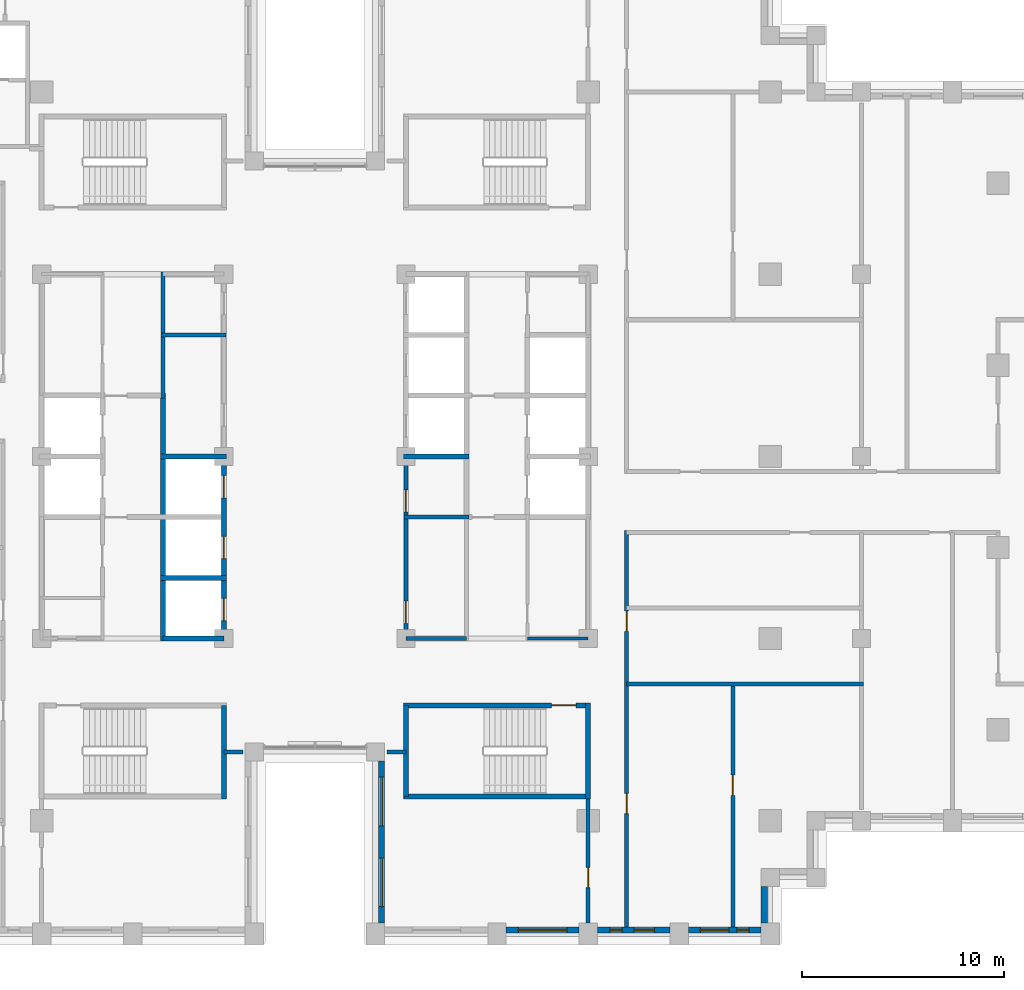
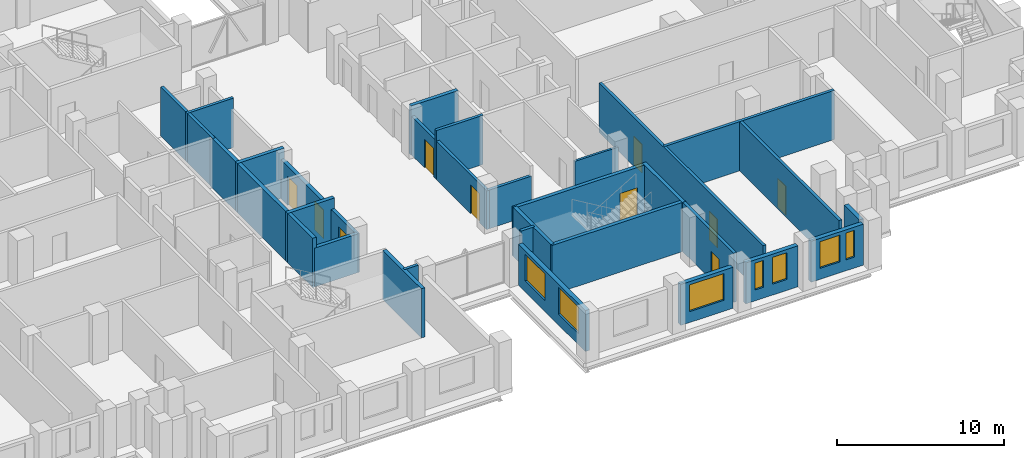
# One storey, part 8 of 16: 28 walls, 10 doors, 7 windows, 17 openings.
"""IFC4 building model written with IfcOpenShell, lengths in metres."""

import ifcopenshell
import ifcopenshell.guid

model = None  # the IFC model being written
_history = None  # IfcOwnerHistory: only IFC2X3 demands one
_inside = {}  # id of a spatial element -> (the spatial element, [elements in it])
_under = {}  # id of a project, library or spatial element -> (it, [spatial elements below it])
_declared = {}  # id of a project -> (the project, [libraries it declares])
_typed = {}  # id of a type object -> (the type object, [elements of that type])
_made_of = {}  # id of a material, layer set ... -> (it, [elements and type objects made of it])


def new_model(schema):
    """Start an empty IFC model of exactly this schema.

    Asked for "IFC4X3", IfcOpenShell would pick the latest addendum, in which some entities
    have other attributes; the version numbers below select the first issue.
    IFC2X3 requires an IfcOwnerHistory on every rooted entity: one is made here for all.
    """
    global model, _history
    if schema == "IFC4X3":
        model = ifcopenshell.file(schema_version=(4, 3, 0, 0))
    else:
        model = ifcopenshell.file(schema=schema)
    _inside.clear()
    _under.clear()
    _declared.clear()
    _typed.clear()
    _made_of.clear()
    _history = None
    if model.schema == "IFC2X3":
        org = make("IfcOrganization", Name="unknown")
        user = make(
            "IfcPersonAndOrganization",
            ThePerson=make("IfcPerson", FamilyName="unknown"),
            TheOrganization=org,
        )
        app = make(
            "IfcApplication",
            ApplicationDeveloper=org,
            Version="unknown",
            ApplicationFullName="unknown",
            ApplicationIdentifier="unknown",
        )
        _history = make(
            "IfcOwnerHistory",
            OwningUser=user,
            OwningApplication=app,
            ChangeAction="ADDED",
            CreationDate=0,
        )
    return model


def make(cls, **values):
    """One entity of the class cls with the attributes given. An attribute that is None is left unset."""
    return model.create_entity(
        cls, **{name: value for name, value in values.items() if value is not None}
    )


def rooted(cls, **values):
    """An entity with a GlobalId (a new one), such as an element, a storey or a relation."""
    return make(cls, GlobalId=ifcopenshell.guid.new(), OwnerHistory=_history, **values)


def si_unit(unit_type, name, prefix=None):
    """IfcSIUnit, for example si_unit("LENGTHUNIT", "METRE", prefix="MILLI")."""
    return make("IfcSIUnit", UnitType=unit_type, Prefix=prefix, Name=name)


def assignment(units):
    """IfcUnitAssignment: the units of a project."""
    return None if units is None else make("IfcUnitAssignment", Units=units)


def point(xyz):
    """IfcCartesianPoint."""
    return None if xyz is None else make("IfcCartesianPoint", Coordinates=xyz)


def direction(xyz):
    """IfcDirection."""
    return None if xyz is None else make("IfcDirection", DirectionRatios=xyz)


def frame(location, z_axis=None, x_axis=None):
    """IfcAxis2Placement3D, a coordinate frame: its origin and axes. An axis left out is left unset."""
    return make(
        "IfcAxis2Placement3D",
        Location=point(location),
        Axis=direction(z_axis),
        RefDirection=direction(x_axis),
    )


def frame_2d(location, x_axis=None):
    """IfcAxis2Placement2D, a coordinate frame in the plane: its origin and x axis."""
    return make(
        "IfcAxis2Placement2D", Location=point(location), RefDirection=direction(x_axis)
    )


def origin():
    """The frame at (0, 0, 0) with its axes left unset."""
    return frame((0.0, 0.0, 0.0))


def place(relative_to, where):
    """IfcLocalPlacement: puts the frame where relative to a parent placement (None: the world)."""
    return make(
        "IfcLocalPlacement", PlacementRelTo=relative_to, RelativePlacement=where
    )


def context(
    kind, dimensions, precision=None, world=None, true_north=None, identifier=None
):
    """IfcGeometricRepresentationContext, for example the 3D "Model" context."""
    return make(
        "IfcGeometricRepresentationContext",
        ContextIdentifier=identifier,
        ContextType=kind,
        CoordinateSpaceDimension=dimensions,
        Precision=precision,
        WorldCoordinateSystem=world,
        TrueNorth=true_north,
    )


def subcontext(parent, identifier, kind, view, scale=None):
    """IfcGeometricRepresentationSubContext, for example "Body" below "Model"."""
    return make(
        "IfcGeometricRepresentationSubContext",
        ContextIdentifier=identifier,
        ContextType=kind,
        ParentContext=parent,
        TargetScale=scale,
        TargetView=view,
    )


def project(units=None, contexts=None):
    """IfcProject with its units and contexts."""
    return rooted(
        "IfcProject",
        Name="project",
        RepresentationContexts=contexts,
        UnitsInContext=assignment(units),
    )


def spatial(cls, under=None, at=None, **own):
    """A site, building, storey or space (cls), placed at a placement, below another one or the project."""
    s = rooted(cls, ObjectPlacement=at, **own)
    if under is not None:
        _under.setdefault(under.id(), (under, []))[1].append(s)
    return s


def profile(cls, at=None, kind="AREA", **sizes):
    """A parametric profile (cls). Its sizes go by their IFC names, for example OverallWidth=200.0."""
    return make(cls, ProfileType=kind, Position=at, **sizes)


def rectangle(**sizes):
    """IfcRectangleProfileDef."""
    return profile("IfcRectangleProfileDef", **sizes)


def extrude(swept, where, along, depth):
    """IfcExtrudedAreaSolid: the profile swept, set in the frame where, extruded along a direction by depth."""
    return make(
        "IfcExtrudedAreaSolid",
        SweptArea=swept,
        Position=where,
        ExtrudedDirection=direction(along),
        Depth=depth,
    )


def shape(context_of_items, identifier, shape_type, items):
    """IfcShapeRepresentation: the items that make up one representation, for example the "Body"."""
    return make(
        "IfcShapeRepresentation",
        ContextOfItems=context_of_items,
        RepresentationIdentifier=identifier,
        RepresentationType=shape_type,
        Items=items,
    )


def material(Name=None, Category=None):
    """IfcMaterial."""
    return make("IfcMaterial", Name=Name, Category=Category)


def layer(
    of_material, thickness, ventilated=None, Name=None, Category=None, Priority=None
):
    """IfcMaterialLayer: one layer of a wall or slab, of a material (None: an air gap)."""
    return make(
        "IfcMaterialLayer",
        Material=of_material,
        LayerThickness=thickness,
        IsVentilated=ventilated,
        Name=Name,
        Category=Category,
        Priority=Priority,
    )


def layer_set(layers, Name=None):
    """IfcMaterialLayerSet."""
    return make("IfcMaterialLayerSet", MaterialLayers=layers, LayerSetName=Name)


def made_of(thing, what):
    """Note that an element or type object is made of a material, layer set ...; save() writes the relation."""
    if what is not None:
        _made_of.setdefault(what.id(), (what, []))[1].append(thing)
    return thing


def type_object(cls, material=None, **own):
    """A type object (cls), such as IfcWallType, which elements share."""
    return made_of(rooted(cls, **own), material)


def element(
    cls,
    number,
    at=None,
    inside=None,
    cuts=None,
    type_object=None,
    material=None,
    context=None,
    identifier="Body",
    shape_type=None,
    held_by="IfcProductDefinitionShape",
    body=None,
    shapes=None,
    **own,
):
    """One element of the class cls, such as IfcWall. Its Tag is "e" and its number.

    at: its placement. inside: the storey or other place that contains it. cuts: it is an
    opening in that element (IfcRelVoidsElement). A single representation is given by context,
    identifier, shape_type and body (its items); several are given by shapes. held_by: the class
    of the entity that holds the representations. save() writes the other relations.
    """
    e = rooted(cls, Tag="e%d" % number, ObjectPlacement=at, **own)
    if body is not None:
        shapes = [shape(context, identifier, shape_type, body)]
    if shapes is not None:
        e.Representation = make(held_by, Representations=shapes)
    if inside is not None:
        _inside.setdefault(inside.id(), (inside, []))[1].append(e)
    if cuts is not None:
        rooted(
            "IfcRelVoidsElement", RelatingBuildingElement=cuts, RelatedOpeningElement=e
        )
    if type_object is not None:
        _typed.setdefault(type_object.id(), (type_object, []))[1].append(e)
    return made_of(e, material)


def fill(opening, filler):
    """IfcRelFillsElement: the door or window that sits in an opening."""
    return rooted(
        "IfcRelFillsElement",
        RelatingOpeningElement=opening,
        RelatedBuildingElement=filler,
    )


def aggregate(whole, parts):
    """IfcRelAggregates: a whole, such as a stair, and the parts it consists of."""
    return rooted("IfcRelAggregates", RelatingObject=whole, RelatedObjects=parts)


def save(model, path):
    """Write the relations noted so far, then the file.

    IfcRelAggregates (storeys below a building ...), IfcRelContainedInSpatialStructure (elements
    in a storey), IfcRelDefinesByType, IfcRelAssociatesMaterial and IfcRelDeclares: one each for
    every whole, place, type object, material and project.
    """
    for whole, parts in _under.values():
        aggregate(whole, parts)
    for where, things in _inside.values():
        rooted(
            "IfcRelContainedInSpatialStructure",
            RelatedElements=things,
            RelatingStructure=where,
        )
    for kind, things in _typed.values():
        rooted("IfcRelDefinesByType", RelatedObjects=things, RelatingType=kind)
    for what, things in _made_of.values():
        rooted("IfcRelAssociatesMaterial", RelatedObjects=things, RelatingMaterial=what)
    for by, libraries in _declared.values():
        rooted("IfcRelDeclares", RelatingContext=by, RelatedDefinitions=libraries)
    model.write(path)


model = new_model("IFC4")

# Units and contexts
model_context = context("Model", 3, precision=1e-05, world=origin(), true_north=direction((0.0, 1.0)))
body_context = subcontext(model_context, "Body", "Model", "MODEL_VIEW")
ifc_project = project(units=[si_unit("LENGTHUNIT", "METRE"), si_unit("AREAUNIT", "SQUARE_METRE"), si_unit("VOLUMEUNIT", "CUBIC_METRE"), si_unit("PLANEANGLEUNIT", "RADIAN"), si_unit("MASSUNIT", "GRAM", prefix="KILO")], contexts=[model_context])

# Site, building, storey
site_placement = place(None, origin())
site = spatial("IfcSite", under=ifc_project, at=site_placement, CompositionType="ELEMENT")
building_placement = place(site_placement, origin())
building = spatial("IfcBuilding", under=site, at=building_placement, Name="Corbelhall Arena Tower", CompositionType="ELEMENT")
storey_placement = place(building_placement, frame((0.0, 0.0, 174.0)))
storey = spatial("IfcBuildingStorey", under=building, at=storey_placement, Name="L35", CompositionType="ELEMENT", Elevation=174.0)

# Wall, openings, windows
ifc_material_1 = material(Name="Precast concrete C40/50 with granite facing", Category="masonry")
ifc_layer_1 = layer(ifc_material_1, 0.300048828125)
ifc_layer_set_1 = layer_set([ifc_layer_1], Name="EV-IW1 Infill panel 300")
wall_type_1 = type_object("IfcWallType", Name="EV-IW1 Infill panel 300", PredefinedType="SOLIDWALL", material=ifc_layer_set_1)
wall_1_placement = place(storey_placement, frame((3.300048828125, -15.050048828125, 0.0), z_axis=(0.0, 0.0, 1.0), x_axis=(0.0, -1.0, 0.0)))
wall_1 = element("IfcWall", 1, at=wall_1_placement, inside=storey, type_object=wall_type_1, Name="Infill panel IW1", PredefinedType="SOLIDWALL", context=body_context, shape_type="SweptSolid", body=[
    extrude(rectangle(XDim=8.0, YDim=0.300048828125, at=frame_2d((4.0, 0.0))), origin(), (0.0, 0.0, 1.0), 2.989990234375),
])
opening_1_placement = place(wall_1_placement, frame((0.800048828125, 0.0, 0.800048828125)))
opening_1 = element("IfcOpeningElement", 2, at=opening_1_placement, cuts=wall_1, Name="Opening WN1", PredefinedType="OPENING", context=body_context, shape_type="SweptSolid", body=[
    extrude(rectangle(XDim=2.39990234375, YDim=1.949951171875, at=frame_2d((1.199951171875, 0.97509765625))), frame((0.0, 0.14990234375, 0.0), z_axis=(0.0, -1.0, 0.0), x_axis=(1.0, 0.0, 0.0)), (0.0, 0.0, 1.0), 0.300048828125),
])
opening_2_placement = place(wall_1_placement, frame((4.800048828125, 0.0, 0.800048828125)))
opening_2 = element("IfcOpeningElement", 3, at=opening_2_placement, cuts=wall_1, Name="Opening WN1", PredefinedType="OPENING", context=body_context, shape_type="SweptSolid", body=[
    extrude(rectangle(XDim=2.39990234375, YDim=1.949951171875, at=frame_2d((1.199951171875, 0.97509765625))), frame((0.0, 0.14990234375, 0.0), z_axis=(0.0, -1.0, 0.0), x_axis=(1.0, 0.0, 0.0)), (0.0, 0.0, 1.0), 0.300048828125),
])
ifc_material_2 = material(Name="Aluminium black anodised", Category="aluminium")
window_type_1 = type_object("IfcWindowType", Name="EV-WN1 Office window", PartitioningType="SINGLE_PANEL", PredefinedType="WINDOW", material=ifc_material_2)
window_1_placement = place(opening_1_placement, origin())
window_1 = element("IfcWindow", 4, at=window_1_placement, inside=storey, type_object=window_type_1, Name="Window WN1", OverallHeight=1.949951171875, OverallWidth=2.39990234375, PartitioningType="SINGLE_PANEL", PredefinedType="WINDOW", context=body_context, shape_type="SweptSolid", body=[
    extrude(rectangle(XDim=2.39990234375, YDim=1.949951171875, at=frame_2d((1.199951171875, 0.97509765625))), frame((0.0, 0.030029296875, 0.0), z_axis=(0.0, -1.0, 0.0), x_axis=(1.0, 0.0, 0.0)), (0.0, 0.0, 1.0), 0.06005859375),
])
fill(opening_1, window_1)
window_2_placement = place(opening_2_placement, origin())
window_2 = element("IfcWindow", 5, at=window_2_placement, inside=storey, type_object=window_type_1, Name="Window WN1", OverallHeight=1.949951171875, OverallWidth=2.39990234375, PartitioningType="SINGLE_PANEL", PredefinedType="WINDOW", context=body_context, shape_type="SweptSolid", body=[
    extrude(rectangle(XDim=2.39990234375, YDim=1.949951171875, at=frame_2d((1.199951171875, 0.97509765625))), frame((0.0, 0.030029296875, 0.0), z_axis=(0.0, -1.0, 0.0), x_axis=(1.0, 0.0, 0.0)), (0.0, 0.0, 1.0), 0.06005859375),
])
fill(opening_2, window_2)

# Wall, opening, window
wall_2_placement = place(storey_placement, frame((9.449951171875, -23.39990234375, 0.0), z_axis=(0.0, 0.0, 1.0), x_axis=(1.0, 0.0, 0.0)))
wall_2 = element("IfcWall", 6, at=wall_2_placement, inside=storey, type_object=wall_type_1, Name="Infill panel IW1", PredefinedType="SOLIDWALL", context=body_context, shape_type="SweptSolid", body=[
    extrude(rectangle(XDim=3.60009765625, YDim=0.300048828125, at=frame_2d((1.800048828125, 0.0))), origin(), (0.0, 0.0, 1.0), 2.989990234375),
])
opening_3_placement = place(wall_2_placement, frame((0.60009765625, 0.0, 0.800048828125)))
opening_3 = element("IfcOpeningElement", 7, at=opening_3_placement, cuts=wall_2, Name="Opening WN1", PredefinedType="OPENING", context=body_context, shape_type="SweptSolid", body=[
    extrude(rectangle(XDim=2.39990234375, YDim=1.949951171875, at=frame_2d((1.199951171875, 0.97509765625))), frame((0.0, 0.14990234375, 0.0), z_axis=(0.0, -1.0, 0.0), x_axis=(1.0, 0.0, 0.0)), (0.0, 0.0, 1.0), 0.300048828125),
])
window_3_placement = place(opening_3_placement, origin())
window_3 = element("IfcWindow", 8, at=window_3_placement, inside=storey, type_object=window_type_1, Name="Window WN1", OverallHeight=1.949951171875, OverallWidth=2.39990234375, PartitioningType="SINGLE_PANEL", PredefinedType="WINDOW", context=body_context, shape_type="SweptSolid", body=[
    extrude(rectangle(XDim=2.39990234375, YDim=1.949951171875, at=frame_2d((1.199951171875, 0.97509765625))), frame((0.0, 0.030029296875, 0.0), z_axis=(0.0, -1.0, 0.0), x_axis=(1.0, 0.0, 0.0)), (0.0, 0.0, 1.0), 0.06005859375),
])
fill(opening_3, window_3)

# Wall, openings, windows
wall_3_placement = place(storey_placement, frame((13.949951171875, -23.39990234375, 0.0), z_axis=(0.0, 0.0, 1.0), x_axis=(1.0, 0.0, 0.0)))
wall_3 = element("IfcWall", 9, at=wall_3_placement, inside=storey, type_object=wall_type_1, Name="Infill panel IW1", PredefinedType="SOLIDWALL", context=body_context, shape_type="SweptSolid", body=[
    extrude(rectangle(XDim=3.60009765625, YDim=0.300048828125, at=frame_2d((1.800048828125, 0.0))), origin(), (0.0, 0.0, 1.0), 2.989990234375),
])
opening_4_placement = place(wall_3_placement, frame((0.625, 0.0, 0.800048828125)))
opening_4 = element("IfcOpeningElement", 10, at=opening_4_placement, cuts=wall_3, Name="Opening WN5", PredefinedType="OPENING", context=body_context, shape_type="SweptSolid", body=[
    extrude(rectangle(XDim=0.60009765625, YDim=1.949951171875, at=frame_2d((0.300048828125, 0.97509765625))), frame((0.0, 0.14990234375, 0.0), z_axis=(0.0, -1.0, 0.0), x_axis=(1.0, 0.0, 0.0)), (0.0, 0.0, 1.0), 0.300048828125),
])
opening_5_placement = place(wall_3_placement, frame((1.824951171875, 0.0, 0.800048828125)))
opening_5 = element("IfcOpeningElement", 11, at=opening_5_placement, cuts=wall_3, Name="Opening WN6", PredefinedType="OPENING", context=body_context, shape_type="SweptSolid", body=[
    extrude(rectangle(XDim=1.0, YDim=1.949951171875, at=frame_2d((0.5, 0.97509765625))), frame((0.0, 0.14990234375, 0.0), z_axis=(0.0, -1.0, 0.0), x_axis=(1.0, 0.0, 0.0)), (0.0, 0.0, 1.0), 0.300048828125),
])
window_type_2 = type_object("IfcWindowType", Name="EV-WN5 Office window 600", PartitioningType="SINGLE_PANEL", PredefinedType="WINDOW", material=ifc_material_2)
window_4_placement = place(opening_4_placement, origin())
window_4 = element("IfcWindow", 12, at=window_4_placement, inside=storey, type_object=window_type_2, Name="Window WN5", OverallHeight=1.949951171875, OverallWidth=0.60009765625, PartitioningType="SINGLE_PANEL", PredefinedType="WINDOW", context=body_context, shape_type="SweptSolid", body=[
    extrude(rectangle(XDim=0.60009765625, YDim=1.949951171875, at=frame_2d((0.300048828125, 0.97509765625))), frame((0.0, 0.030029296875, 0.0), z_axis=(0.0, -1.0, 0.0), x_axis=(1.0, 0.0, 0.0)), (0.0, 0.0, 1.0), 0.06005859375),
])
fill(opening_4, window_4)
window_type_3 = type_object("IfcWindowType", Name="EV-WN6 Office window 1000", PartitioningType="SINGLE_PANEL", PredefinedType="WINDOW", material=ifc_material_2)
window_5_placement = place(opening_5_placement, origin())
window_5 = element("IfcWindow", 13, at=window_5_placement, inside=storey, type_object=window_type_3, Name="Window WN6", OverallHeight=1.949951171875, OverallWidth=1.0, PartitioningType="SINGLE_PANEL", PredefinedType="WINDOW", context=body_context, shape_type="SweptSolid", body=[
    extrude(rectangle(XDim=1.0, YDim=1.949951171875, at=frame_2d((0.5, 0.97509765625))), frame((0.0, 0.030029296875, 0.0), z_axis=(0.0, -1.0, 0.0), x_axis=(1.0, 0.0, 0.0)), (0.0, 0.0, 1.0), 0.06005859375),
])
fill(opening_5, window_5)

wall_4_placement = place(storey_placement, frame((18.449951171875, -23.39990234375, 0.0), z_axis=(0.0, 0.0, 1.0), x_axis=(1.0, 0.0, 0.0)))
wall_4 = element("IfcWall", 14, at=wall_4_placement, inside=storey, type_object=wall_type_1, Name="Infill panel IW1", PredefinedType="SOLIDWALL", context=body_context, shape_type="SweptSolid", body=[
    extrude(rectangle(XDim=3.60009765625, YDim=0.300048828125, at=frame_2d((1.800048828125, 0.0))), origin(), (0.0, 0.0, 1.0), 2.989990234375),
])
opening_6_placement = place(wall_4_placement, frame((0.60009765625, 0.0, 0.800048828125)))
opening_6 = element("IfcOpeningElement", 15, at=opening_6_placement, cuts=wall_4, Name="Opening WN7", PredefinedType="OPENING", context=body_context, shape_type="SweptSolid", body=[
    extrude(rectangle(XDim=1.39990234375, YDim=1.949951171875, at=frame_2d((0.699951171875, 0.97509765625))), frame((0.0, 0.14990234375, 0.0), z_axis=(0.0, -1.0, 0.0), x_axis=(1.0, 0.0, 0.0)), (0.0, 0.0, 1.0), 0.300048828125),
])
opening_7_placement = place(wall_4_placement, frame((2.39990234375, 0.0, 0.800048828125)))
opening_7 = element("IfcOpeningElement", 16, at=opening_7_placement, cuts=wall_4, Name="Opening WN5", PredefinedType="OPENING", context=body_context, shape_type="SweptSolid", body=[
    extrude(rectangle(XDim=0.60009765625, YDim=1.949951171875, at=frame_2d((0.300048828125, 0.97509765625))), frame((0.0, 0.14990234375, 0.0), z_axis=(0.0, -1.0, 0.0), x_axis=(1.0, 0.0, 0.0)), (0.0, 0.0, 1.0), 0.300048828125),
])
window_6_placement = place(opening_7_placement, origin())
window_6 = element("IfcWindow", 17, at=window_6_placement, inside=storey, type_object=window_type_2, Name="Window WN5", OverallHeight=1.949951171875, OverallWidth=0.60009765625, PartitioningType="SINGLE_PANEL", PredefinedType="WINDOW", context=body_context, shape_type="SweptSolid", body=[
    extrude(rectangle(XDim=0.60009765625, YDim=1.949951171875, at=frame_2d((0.300048828125, 0.97509765625))), frame((0.0, 0.030029296875, 0.0), z_axis=(0.0, -1.0, 0.0), x_axis=(1.0, 0.0, 0.0)), (0.0, 0.0, 1.0), 0.06005859375),
])
fill(opening_7, window_6)
window_type_4 = type_object("IfcWindowType", Name="EV-WN7 Office window 1400", PartitioningType="SINGLE_PANEL", PredefinedType="WINDOW", material=ifc_material_2)
window_7_placement = place(opening_6_placement, origin())
window_7 = element("IfcWindow", 18, at=window_7_placement, inside=storey, type_object=window_type_4, Name="Window WN7", OverallHeight=1.949951171875, OverallWidth=1.39990234375, PartitioningType="SINGLE_PANEL", PredefinedType="WINDOW", context=body_context, shape_type="SweptSolid", body=[
    extrude(rectangle(XDim=1.39990234375, YDim=1.949951171875, at=frame_2d((0.699951171875, 0.97509765625))), frame((0.0, 0.030029296875, 0.0), z_axis=(0.0, -1.0, 0.0), x_axis=(1.0, 0.0, 0.0)), (0.0, 0.0, 1.0), 0.06005859375),
])
fill(opening_6, window_7)

# Walls
wall_5_placement = place(storey_placement, frame((22.199951171875, -23.050048828125, 0.0), z_axis=(0.0, 0.0, 1.0), x_axis=(0.0, 1.0, 0.0)))
element("IfcWall", 19, at=wall_5_placement, inside=storey, type_object=wall_type_1, Name="Infill panel IW1", PredefinedType="SOLIDWALL", context=body_context, shape_type="SweptSolid", body=[
    extrude(rectangle(XDim=1.800048828125, YDim=0.300048828125, at=frame_2d((0.89990234375, 0.0))), origin(), (0.0, 0.0, 1.0), 2.989990234375),
])
ifc_material_3 = material(Name="Gypsum board on steel stud, acoustic", Category="steel")
ifc_layer_2 = layer(ifc_material_3, 0.199951171875)
ifc_layer_set_2 = layer_set([ifc_layer_2], Name="IN-W-DM200")
wall_type_2 = type_object("IfcWallType", Name="IN-W-DM200", PredefinedType="PARTITIONING", material=ifc_layer_set_2)
for number, where, z_axis, x_axis, name in (
    (20, (-3.550048828125, -14.60009765625, 0.0), (0.0, 0.0, 1.0), (-1.0, 0.0, 0.0), "Partition 025"),
    (21, (4.5, -14.60009765625, 0.0), (0.0, 0.0, 1.0), (-1.0, 0.0, 0.0), "Partition 027"),
):
    element("IfcWall", number, at=place(storey_placement, frame(where, z_axis=z_axis, x_axis=x_axis)), inside=storey, type_object=wall_type_2, Name=name, PredefinedType="PARTITIONING", context=body_context, shape_type="SweptSolid", body=[
        extrude(rectangle(XDim=0.949951171875, YDim=0.199951171875, at=frame_2d((0.47509765625, 0.0))), origin(), (0.0, 0.0, 1.0), 3.590087890625),
    ])

# Wall, opening, door
wall_6_placement = place(storey_placement, frame((13.5, -23.050048828125, 0.0), z_axis=(0.0, 0.0, 1.0), x_axis=(0.0, 1.0, 0.0)))
wall_6 = element("IfcWall", 22, at=wall_6_placement, inside=storey, type_object=wall_type_2, Name="Partition 028", PredefinedType="PARTITIONING", context=body_context, shape_type="SweptSolid", body=[
    extrude(rectangle(XDim=6.375, YDim=0.199951171875, at=frame_2d((3.1875, 0.0))), origin(), (0.0, 0.0, 1.0), 3.590087890625),
])
opening_8_placement = place(wall_6_placement, frame((1.75, 0.0, 0.0)))
opening_8 = element("IfcOpeningElement", 23, at=opening_8_placement, cuts=wall_6, Name="Opening 10025", PredefinedType="OPENING", context=body_context, shape_type="SweptSolid", body=[
    extrude(rectangle(XDim=1.0, YDim=2.10009765625, at=frame_2d((0.5, 1.050048828125))), frame((0.0, 0.10009765625, 0.0), z_axis=(0.0, -1.0, 0.0), x_axis=(1.0, 0.0, 0.0)), (0.0, 0.0, 1.0), 0.199951171875),
])
ifc_material_4 = material(Name="Steel door set", Category="steel")
door_type_1 = type_object("IfcDoorType", Name="IN-D-SW100", OperationType="NOTDEFINED", PredefinedType="DOOR", material=ifc_material_4)
door_1_placement = place(opening_8_placement, origin())
door_1 = element("IfcDoor", 24, at=door_1_placement, inside=storey, type_object=door_type_1, Name="Door 025", OperationType="SINGLE_SWING_RIGHT", OverallHeight=2.10009765625, OverallWidth=1.0, PredefinedType="DOOR", context=body_context, shape_type="SweptSolid", body=[
    extrude(rectangle(XDim=1.0, YDim=2.10009765625, at=frame_2d((0.5, 1.050048828125))), frame((0.0, 0.02490234375, 0.0), z_axis=(0.0, -1.0, 0.0), x_axis=(1.0, 0.0, 0.0)), (0.0, 0.0, 1.0), 0.050048828125),
])
fill(opening_8, door_1)

# Wall
wall_7_placement = place(storey_placement, frame((15.39990234375, -11.25, 0.0), z_axis=(0.0, 0.0, 1.0), x_axis=(1.0, 0.0, 0.0)))
element("IfcWall", 25, at=wall_7_placement, inside=storey, type_object=wall_type_2, Name="Partition 030", PredefinedType="PARTITIONING", context=body_context, shape_type="SweptSolid", body=[
    extrude(rectangle(XDim=11.7001953125, YDim=0.199951171875, at=frame_2d((5.85009765625, 0.0))), origin(), (0.0, 0.0, 1.0), 3.590087890625),
])

# Wall, openings, doors
wall_8_placement = place(storey_placement, frame((15.39990234375, -3.64990234375, 0.0), z_axis=(0.0, 0.0, 1.0), x_axis=(0.0, -1.0, 0.0)))
wall_8 = element("IfcWall", 26, at=wall_8_placement, inside=storey, type_object=wall_type_2, Name="Partition 031", PredefinedType="PARTITIONING", context=body_context, shape_type="SweptSolid", body=[
    extrude(rectangle(XDim=19.60009765625, YDim=0.199951171875, at=frame_2d((9.800048828125, 0.0))), origin(), (0.0, 0.0, 1.0), 3.590087890625),
])
opening_9_placement = place(wall_8_placement, frame((13.0, 0.0, 0.0)))
opening_9 = element("IfcOpeningElement", 27, at=opening_9_placement, cuts=wall_8, Name="Opening 10038", PredefinedType="OPENING", context=body_context, shape_type="SweptSolid", body=[
    extrude(rectangle(XDim=1.0, YDim=2.10009765625, at=frame_2d((0.5, 1.050048828125))), frame((0.0, 0.10009765625, 0.0), z_axis=(0.0, -1.0, 0.0), x_axis=(1.0, 0.0, 0.0)), (0.0, 0.0, 1.0), 0.199951171875),
])
opening_10_placement = place(wall_8_placement, frame((4.0, 0.0, 0.0)))
opening_10 = element("IfcOpeningElement", 28, at=opening_10_placement, cuts=wall_8, Name="Opening 10040", PredefinedType="OPENING", context=body_context, shape_type="SweptSolid", body=[
    extrude(rectangle(XDim=1.0, YDim=2.10009765625, at=frame_2d((0.5, 1.050048828125))), frame((0.0, 0.10009765625, 0.0), z_axis=(0.0, -1.0, 0.0), x_axis=(1.0, 0.0, 0.0)), (0.0, 0.0, 1.0), 0.199951171875),
])
door_2_placement = place(opening_9_placement, origin())
door_2 = element("IfcDoor", 29, at=door_2_placement, inside=storey, type_object=door_type_1, Name="Door 038", OperationType="SINGLE_SWING_LEFT", OverallHeight=2.10009765625, OverallWidth=1.0, PredefinedType="DOOR", context=body_context, shape_type="SweptSolid", body=[
    extrude(rectangle(XDim=1.0, YDim=2.10009765625, at=frame_2d((0.5, 1.050048828125))), frame((0.0, 0.02490234375, 0.0), z_axis=(0.0, -1.0, 0.0), x_axis=(1.0, 0.0, 0.0)), (0.0, 0.0, 1.0), 0.050048828125),
])
fill(opening_9, door_2)
door_3_placement = place(opening_10_placement, origin())
door_3 = element("IfcDoor", 30, at=door_3_placement, inside=storey, type_object=door_type_1, Name="Door 040", OperationType="SINGLE_SWING_LEFT", OverallHeight=2.10009765625, OverallWidth=1.0, PredefinedType="DOOR", context=body_context, shape_type="SweptSolid", body=[
    extrude(rectangle(XDim=1.0, YDim=2.10009765625, at=frame_2d((0.5, 1.050048828125))), frame((0.0, 0.02490234375, 0.0), z_axis=(0.0, -1.0, 0.0), x_axis=(1.0, 0.0, 0.0)), (0.0, 0.0, 1.0), 0.050048828125),
])
fill(opening_10, door_3)

# Wall, opening, door
wall_9_placement = place(storey_placement, frame((20.64990234375, -11.14990234375, 0.0), z_axis=(0.0, 0.0, 1.0), x_axis=(0.0, -1.0, 0.0)))
wall_9 = element("IfcWall", 31, at=wall_9_placement, inside=storey, type_object=wall_type_2, Name="Partition 037", PredefinedType="PARTITIONING", context=body_context, shape_type="SweptSolid", body=[
    extrude(rectangle(XDim=12.10009765625, YDim=0.199951171875, at=frame_2d((6.050048828125, 0.0))), origin(), (0.0, 0.0, 1.0), 3.590087890625),
])
opening_11_placement = place(wall_9_placement, frame((4.60009765625, 0.0, 0.0)))
opening_11 = element("IfcOpeningElement", 32, at=opening_11_placement, cuts=wall_9, Name="Opening 10039", PredefinedType="OPENING", context=body_context, shape_type="SweptSolid", body=[
    extrude(rectangle(XDim=1.0, YDim=2.10009765625, at=frame_2d((0.5, 1.050048828125))), frame((0.0, 0.10009765625, 0.0), z_axis=(0.0, -1.0, 0.0), x_axis=(1.0, 0.0, 0.0)), (0.0, 0.0, 1.0), 0.199951171875),
])
door_4_placement = place(opening_11_placement, origin())
door_4 = element("IfcDoor", 33, at=door_4_placement, inside=storey, type_object=door_type_1, Name="Door 039", OperationType="SINGLE_SWING_RIGHT", OverallHeight=2.10009765625, OverallWidth=1.0, PredefinedType="DOOR", context=body_context, shape_type="SweptSolid", body=[
    extrude(rectangle(XDim=1.0, YDim=2.10009765625, at=frame_2d((0.5, 1.050048828125))), frame((0.0, 0.02490234375, 0.0), z_axis=(0.0, -1.0, 0.0), x_axis=(1.0, 0.0, 0.0)), (0.0, 0.0, 1.0), 0.050048828125),
])
fill(opening_11, door_4)

# Walls
ifc_material_5 = material(Name="Concrete block wall", Category="concrete")
ifc_layer_3 = layer(ifc_material_5, 0.199951171875)
ifc_layer_set_3 = layer_set([ifc_layer_3], Name="IN-W-RS200")
wall_type_3 = type_object("IfcWallType", Name="IN-W-RS200", PredefinedType="SOLIDWALL", material=ifc_layer_set_3)
wall_10_placement = place(storey_placement, frame((-7.60009765625, 6.0, 0.0), z_axis=(0.0, 0.0, 1.0), x_axis=(1.0, 0.0, 0.0)))
element("IfcWall", 34, at=wall_10_placement, inside=storey, type_object=wall_type_3, Name="Partition 050", PredefinedType="SOLIDWALL", context=body_context, shape_type="SweptSolid", body=[
    extrude(rectangle(XDim=3.2001953125, YDim=0.199951171875, at=frame_2d((1.60009765625, 0.0))), origin(), (0.0, 0.0, 1.0), 3.590087890625),
])
wall_11_placement = place(storey_placement, frame((-7.5, 2.875, 0.0), z_axis=(0.0, 0.0, 1.0), x_axis=(0.0, 1.0, 0.0)))
element("IfcWall", 35, at=wall_11_placement, inside=storey, type_object=wall_type_3, Name="Partition 051", PredefinedType="SOLIDWALL", context=body_context, shape_type="SweptSolid", body=[
    extrude(rectangle(XDim=6.22509765625, YDim=0.199951171875, at=frame_2d((3.112548828125, 0.0))), origin(), (0.0, 0.0, 1.0), 3.590087890625),
])
wall_12_placement = place(storey_placement, frame((4.39990234375, -3.0, 0.0), z_axis=(0.0, 0.0, 1.0), x_axis=(1.0, 0.0, 0.0)))
element("IfcWall", 36, at=wall_12_placement, inside=storey, type_object=wall_type_3, Name="Partition 054", PredefinedType="SOLIDWALL", context=body_context, shape_type="SweptSolid", body=[
    extrude(rectangle(XDim=3.22509765625, YDim=0.199951171875, at=frame_2d((1.612548828125, 0.0))), origin(), (0.0, 0.0, 1.0), 3.590087890625),
])

# Wall, openings, doors
ifc_layer_4 = layer(ifc_material_5, 0.199951171875)
ifc_layer_set_4 = layer_set([ifc_layer_4], Name="IN-W-RS200 under beam 762 mm")
wall_type_4 = type_object("IfcWallType", Name="IN-W-RS200 under beam 762 mm", PredefinedType="SOLIDWALL", material=ifc_layer_set_4)
wall_13_placement = place(storey_placement, frame((4.5, -9.10009765625, 0.0), z_axis=(0.0, 0.0, 1.0), x_axis=(0.0, 1.0, 0.0)))
wall_13 = element("IfcWall", 37, at=wall_13_placement, inside=storey, type_object=wall_type_4, Name="Partition 055", PredefinedType="SOLIDWALL", context=body_context, shape_type="SweptSolid", body=[
    extrude(rectangle(XDim=9.10009765625, YDim=0.199951171875, at=frame_2d((4.550048828125, 0.0))), origin(), (0.0, 0.0, 1.0), 2.827880859375),
])
opening_12_placement = place(wall_13_placement, frame((0.85009765625, 0.0, 0.0)))
opening_12 = element("IfcOpeningElement", 38, at=opening_12_placement, cuts=wall_13, Name="Opening 10008", PredefinedType="OPENING", context=body_context, shape_type="SweptSolid", body=[
    extrude(rectangle(XDim=1.10009765625, YDim=2.10009765625, at=frame_2d((0.550048828125, 1.050048828125))), frame((0.0, 0.10009765625, 0.0), z_axis=(0.0, -1.0, 0.0), x_axis=(1.0, 0.0, 0.0)), (0.0, 0.0, 1.0), 0.199951171875),
])
opening_13_placement = place(wall_13_placement, frame((6.35009765625, 0.0, 0.0)))
opening_13 = element("IfcOpeningElement", 39, at=opening_13_placement, cuts=wall_13, Name="Opening 10009", PredefinedType="OPENING", context=body_context, shape_type="SweptSolid", body=[
    extrude(rectangle(XDim=1.10009765625, YDim=2.10009765625, at=frame_2d((0.550048828125, 1.050048828125))), frame((0.0, 0.10009765625, 0.0), z_axis=(0.0, -1.0, 0.0), x_axis=(1.0, 0.0, 0.0)), (0.0, 0.0, 1.0), 0.199951171875),
])
door_type_2 = type_object("IfcDoorType", Name="IN-D-FD110", OperationType="NOTDEFINED", PredefinedType="DOOR", material=ifc_material_4)
door_5_placement = place(opening_12_placement, origin())
door_5 = element("IfcDoor", 40, at=door_5_placement, inside=storey, type_object=door_type_2, Name="Door 008", OperationType="SINGLE_SWING_LEFT", OverallHeight=2.10009765625, OverallWidth=1.10009765625, PredefinedType="DOOR", context=body_context, shape_type="SweptSolid", body=[
    extrude(rectangle(XDim=1.10009765625, YDim=2.10009765625, at=frame_2d((0.550048828125, 1.050048828125))), frame((0.0, 0.02490234375, 0.0), z_axis=(0.0, -1.0, 0.0), x_axis=(1.0, 0.0, 0.0)), (0.0, 0.0, 1.0), 0.050048828125),
])
fill(opening_12, door_5)
door_6_placement = place(opening_13_placement, origin())
door_6 = element("IfcDoor", 41, at=door_6_placement, inside=storey, type_object=door_type_2, Name="Door 009", OperationType="SINGLE_SWING_RIGHT", OverallHeight=2.10009765625, OverallWidth=1.10009765625, PredefinedType="DOOR", context=body_context, shape_type="SweptSolid", body=[
    extrude(rectangle(XDim=1.10009765625, YDim=2.10009765625, at=frame_2d((0.550048828125, 1.050048828125))), frame((0.0, 0.02490234375, 0.0), z_axis=(0.0, -1.0, 0.0), x_axis=(1.0, 0.0, 0.0)), (0.0, 0.0, 1.0), 0.050048828125),
])
fill(opening_13, door_6)

# Walls
wall_14_placement = place(storey_placement, frame((7.5, -9.0, 0.0), z_axis=(0.0, 0.0, 1.0), x_axis=(-1.0, 0.0, 0.0)))
element("IfcWall", 42, at=wall_14_placement, inside=storey, type_object=wall_type_4, Name="Partition 056", PredefinedType="SOLIDWALL", context=body_context, shape_type="SweptSolid", body=[
    extrude(rectangle(XDim=3.0, YDim=0.199951171875, at=frame_2d((1.5, 0.0))), origin(), (0.0, 0.0, 1.0), 2.827880859375),
])
ifc_material_6 = material(Name="Concrete C40/50", Category="concrete")
ifc_layer_5 = layer(ifc_material_6, 0.25)
ifc_layer_set_5 = layer_set([ifc_layer_5], Name="IN-W-SH250")
wall_type_5 = type_object("IfcWallType", Name="IN-W-SH250", PredefinedType="SOLIDWALL", material=ifc_layer_set_5)
for number, where, z_axis, x_axis, name in (
    (43, (-7.625, -6.0, 0.0), (0.0, 0.0, 1.0), (1.0, 0.0, 0.0), "Shaft wall 066"),
    (44, (-7.625, 0.0, 0.0), (0.0, 0.0, 1.0), (1.0, 0.0, 0.0), "Shaft wall 067"),
):
    element("IfcWall", number, at=place(storey_placement, frame(where, z_axis=z_axis, x_axis=x_axis)), inside=storey, type_object=wall_type_5, Name=name, PredefinedType="SOLIDWALL", context=body_context, shape_type="SweptSolid", body=[
        extrude(rectangle(XDim=3.25, YDim=0.25, at=frame_2d((1.625, 0.0))), origin(), (0.0, 0.0, 1.0), 3.590087890625),
    ])
wall_15_placement = place(storey_placement, frame((-7.5, -9.125, 0.0), z_axis=(0.0, 0.0, 1.0), x_axis=(0.0, 1.0, 0.0)))
element("IfcWall", 45, at=wall_15_placement, inside=storey, type_object=wall_type_5, Name="Shaft wall 068", PredefinedType="SOLIDWALL", context=body_context, shape_type="SweptSolid", body=[
    extrude(rectangle(XDim=12.25, YDim=0.25, at=frame_2d((6.125, 0.0))), origin(), (0.0, 0.0, 1.0), 3.590087890625),
])
wall_16_placement = place(storey_placement, frame((4.375, 0.0, 0.0), z_axis=(0.0, 0.0, 1.0), x_axis=(1.0, 0.0, 0.0)))
element("IfcWall", 46, at=wall_16_placement, inside=storey, type_object=wall_type_5, Name="Shaft wall 071", PredefinedType="SOLIDWALL", context=body_context, shape_type="SweptSolid", body=[
    extrude(rectangle(XDim=3.25, YDim=0.25, at=frame_2d((1.625, 0.0))), origin(), (0.0, 0.0, 1.0), 3.590087890625),
])
ifc_layer_6 = layer(ifc_material_6, 0.25)
ifc_layer_set_6 = layer_set([ifc_layer_6], Name="IN-W-SH250 under beam 762 mm")
wall_type_6 = type_object("IfcWallType", Name="IN-W-SH250 under beam 762 mm", PredefinedType="SOLIDWALL", material=ifc_layer_set_6)
wall_17_placement = place(storey_placement, frame((-4.5, -9.0, 0.0), z_axis=(0.0, 0.0, 1.0), x_axis=(-1.0, 0.0, 0.0)))
element("IfcWall", 47, at=wall_17_placement, inside=storey, type_object=wall_type_6, Name="Shaft wall 069", PredefinedType="SOLIDWALL", context=body_context, shape_type="SweptSolid", body=[
    extrude(rectangle(XDim=3.0, YDim=0.25, at=frame_2d((1.5, 0.0))), origin(), (0.0, 0.0, 1.0), 2.827880859375),
])

# Wall, openings, doors
wall_18_placement = place(storey_placement, frame((-4.5, 0.0, 0.0), z_axis=(0.0, 0.0, 1.0), x_axis=(0.0, -1.0, 0.0)))
wall_18 = element("IfcWall", 48, at=wall_18_placement, inside=storey, type_object=wall_type_6, Name="Shaft wall 070", PredefinedType="SOLIDWALL", context=body_context, shape_type="SweptSolid", body=[
    extrude(rectangle(XDim=9.125, YDim=0.25, at=frame_2d((4.5625, 0.0))), origin(), (0.0, 0.0, 1.0), 2.827880859375),
])
opening_14_placement = place(wall_18_placement, frame((7.012451171875, 0.0, 0.0)))
opening_14 = element("IfcOpeningElement", 49, at=opening_14_placement, cuts=wall_18, Name="Opening LD", PredefinedType="OPENING", context=body_context, shape_type="SweptSolid", body=[
    extrude(rectangle(XDim=1.10009765625, YDim=2.10009765625, at=frame_2d((0.550048828125, 1.050048828125))), frame((0.0, 0.125, 0.0), z_axis=(0.0, -1.0, 0.0), x_axis=(1.0, 0.0, 0.0)), (0.0, 0.0, 1.0), 0.25),
])
opening_15_placement = place(wall_18_placement, frame((3.949951171875, 0.0, 0.0)))
opening_15 = element("IfcOpeningElement", 50, at=opening_15_placement, cuts=wall_18, Name="Opening LD", PredefinedType="OPENING", context=body_context, shape_type="SweptSolid", body=[
    extrude(rectangle(XDim=1.10009765625, YDim=2.10009765625, at=frame_2d((0.550048828125, 1.050048828125))), frame((0.0, 0.125, 0.0), z_axis=(0.0, -1.0, 0.0), x_axis=(1.0, 0.0, 0.0)), (0.0, 0.0, 1.0), 0.25),
])
opening_16_placement = place(wall_18_placement, frame((0.949951171875, 0.0, 0.0)))
opening_16 = element("IfcOpeningElement", 51, at=opening_16_placement, cuts=wall_18, Name="Opening LD", PredefinedType="OPENING", context=body_context, shape_type="SweptSolid", body=[
    extrude(rectangle(XDim=1.10009765625, YDim=2.10009765625, at=frame_2d((0.550048828125, 1.050048828125))), frame((0.0, 0.125, 0.0), z_axis=(0.0, -1.0, 0.0), x_axis=(1.0, 0.0, 0.0)), (0.0, 0.0, 1.0), 0.25),
])
door_type_3 = type_object("IfcDoorType", Name="IN-D-LD110", OperationType="NOTDEFINED", PredefinedType="DOOR", material=ifc_material_4)
door_7_placement = place(opening_14_placement, origin())
door_7 = element("IfcDoor", 52, at=door_7_placement, inside=storey, type_object=door_type_3, Name="Landing door W1", OperationType="SLIDING_TO_LEFT", OverallHeight=2.10009765625, OverallWidth=1.10009765625, PredefinedType="DOOR", context=body_context, shape_type="SweptSolid", body=[
    extrude(rectangle(XDim=1.10009765625, YDim=2.10009765625, at=frame_2d((0.550048828125, 1.050048828125))), frame((0.0, 0.02490234375, 0.0), z_axis=(0.0, -1.0, 0.0), x_axis=(1.0, 0.0, 0.0)), (0.0, 0.0, 1.0), 0.050048828125),
])
fill(opening_14, door_7)
door_8_placement = place(opening_15_placement, origin())
door_8 = element("IfcDoor", 53, at=door_8_placement, inside=storey, type_object=door_type_3, Name="Landing door W2", OperationType="SLIDING_TO_LEFT", OverallHeight=2.10009765625, OverallWidth=1.10009765625, PredefinedType="DOOR", context=body_context, shape_type="SweptSolid", body=[
    extrude(rectangle(XDim=1.10009765625, YDim=2.10009765625, at=frame_2d((0.550048828125, 1.050048828125))), frame((0.0, 0.02490234375, 0.0), z_axis=(0.0, -1.0, 0.0), x_axis=(1.0, 0.0, 0.0)), (0.0, 0.0, 1.0), 0.050048828125),
])
fill(opening_15, door_8)
door_9_placement = place(opening_16_placement, origin())
door_9 = element("IfcDoor", 54, at=door_9_placement, inside=storey, type_object=door_type_3, Name="Landing door W3", OperationType="SLIDING_TO_LEFT", OverallHeight=2.10009765625, OverallWidth=1.10009765625, PredefinedType="DOOR", context=body_context, shape_type="SweptSolid", body=[
    extrude(rectangle(XDim=1.10009765625, YDim=2.10009765625, at=frame_2d((0.550048828125, 1.050048828125))), frame((0.0, 0.02490234375, 0.0), z_axis=(0.0, -1.0, 0.0), x_axis=(1.0, 0.0, 0.0)), (0.0, 0.0, 1.0), 0.050048828125),
])
fill(opening_16, door_9)

# Walls
ifc_layer_7 = layer(ifc_material_6, 0.25)
ifc_layer_set_7 = layer_set([ifc_layer_7], Name="IN-W-ST250")
wall_type_7 = type_object("IfcWallType", Name="IN-W-ST250", PredefinedType="SOLIDWALL", material=ifc_layer_set_7)
wall_19_placement = place(storey_placement, frame((-4.5, -12.300048828125, 0.0), z_axis=(0.0, 0.0, 1.0), x_axis=(0.0, -1.0, 0.0)))
element("IfcWall", 55, at=wall_19_placement, inside=storey, type_object=wall_type_7, Name="Shaft wall 093", PredefinedType="SOLIDWALL", context=body_context, shape_type="SweptSolid", body=[
    extrude(rectangle(XDim=4.625, YDim=0.25, at=frame_2d((2.3125, 0.0))), origin(), (0.0, 0.0, 1.0), 3.590087890625),
])
wall_20_placement = place(storey_placement, frame((4.5, -16.800048828125, 0.0), z_axis=(0.0, 0.0, 1.0), x_axis=(0.0, 1.0, 0.0)))
element("IfcWall", 56, at=wall_20_placement, inside=storey, type_object=wall_type_7, Name="Shaft wall 098", PredefinedType="SOLIDWALL", context=body_context, shape_type="SweptSolid", body=[
    extrude(rectangle(XDim=4.5, YDim=0.25, at=frame_2d((2.25, 0.0))), origin(), (0.0, 0.0, 1.0), 3.590087890625),
])
wall_21_placement = place(storey_placement, frame((13.5, -16.925048828125, 0.0), z_axis=(0.0, 0.0, 1.0), x_axis=(0.0, 1.0, 0.0)))
element("IfcWall", 57, at=wall_21_placement, inside=storey, type_object=wall_type_7, Name="Shaft wall 100", PredefinedType="SOLIDWALL", context=body_context, shape_type="SweptSolid", body=[
    extrude(rectangle(XDim=4.75, YDim=0.25, at=frame_2d((2.375, 0.0))), origin(), (0.0, 0.0, 1.0), 3.590087890625),
])
wall_22_placement = place(storey_placement, frame((13.5, -16.800048828125, 0.0), z_axis=(0.0, 0.0, 1.0), x_axis=(-1.0, 0.0, 0.0)))
element("IfcWall", 58, at=wall_22_placement, inside=storey, type_object=wall_type_7, Name="Shaft wall 101", PredefinedType="SOLIDWALL", context=body_context, shape_type="SweptSolid", body=[
    extrude(rectangle(XDim=9.125, YDim=0.25, at=frame_2d((4.5625, 0.0))), origin(), (0.0, 0.0, 1.0), 3.590087890625),
])

# Wall, opening, door
wall_23_placement = place(storey_placement, frame((13.5, -12.300048828125, 0.0), z_axis=(0.0, 0.0, 1.0), x_axis=(-1.0, 0.0, 0.0)))
wall_23 = element("IfcWall", 59, at=wall_23_placement, inside=storey, type_object=wall_type_7, Name="Shaft wall 102", PredefinedType="SOLIDWALL", context=body_context, shape_type="SweptSolid", body=[
    extrude(rectangle(XDim=9.125, YDim=0.25, at=frame_2d((4.5625, 0.0))), origin(), (0.0, 0.0, 1.0), 3.590087890625),
])
opening_17_placement = place(wall_23_placement, frame((0.60009765625, 0.0, 0.0)))
opening_17 = element("IfcOpeningElement", 60, at=opening_17_placement, cuts=wall_23, Name="Opening 10017", PredefinedType="OPENING", context=body_context, shape_type="SweptSolid", body=[
    extrude(rectangle(XDim=1.199951171875, YDim=2.10009765625, at=frame_2d((0.60009765625, 1.050048828125))), frame((0.0, 0.125, 0.0), z_axis=(0.0, -1.0, 0.0), x_axis=(1.0, 0.0, 0.0)), (0.0, 0.0, 1.0), 0.25),
])
door_type_4 = type_object("IfcDoorType", Name="IN-D-ST120", OperationType="NOTDEFINED", PredefinedType="DOOR", material=ifc_material_4)
door_10_placement = place(opening_17_placement, origin())
door_10 = element("IfcDoor", 61, at=door_10_placement, inside=storey, type_object=door_type_4, Name="Door 017", OperationType="SINGLE_SWING_RIGHT", OverallHeight=2.10009765625, OverallWidth=1.199951171875, PredefinedType="DOOR", context=body_context, shape_type="SweptSolid", body=[
    extrude(rectangle(XDim=1.199951171875, YDim=2.10009765625, at=frame_2d((0.60009765625, 1.050048828125))), frame((0.0, 0.02490234375, 0.0), z_axis=(0.0, -1.0, 0.0), x_axis=(1.0, 0.0, 0.0)), (0.0, 0.0, 1.0), 0.050048828125),
])
fill(opening_17, door_10)

# Wall
ifc_material_7 = material(Name="Gypsum board on steel stud, moisture resistant", Category="steel")
ifc_layer_8 = layer(ifc_material_7, 0.14990234375)
ifc_layer_set_8 = layer_set([ifc_layer_8], Name="IN-W-WC150 under beam 762 mm")
wall_type_8 = type_object("IfcWallType", Name="IN-W-WC150 under beam 762 mm", PredefinedType="PARTITIONING", material=ifc_layer_set_8)
wall_24_placement = place(storey_placement, frame((13.5, -9.0, 0.0), z_axis=(0.0, 0.0, 1.0), x_axis=(-1.0, 0.0, 0.0)))
element("IfcWall", 62, at=wall_24_placement, inside=storey, type_object=wall_type_8, Name="Partition 118", PredefinedType="PARTITIONING", context=body_context, shape_type="SweptSolid", body=[
    extrude(rectangle(XDim=3.0, YDim=0.14990234375, at=frame_2d((1.5, 0.0))), origin(), (0.0, 0.0, 1.0), 2.827880859375),
])

save(model, "model.ifc")
